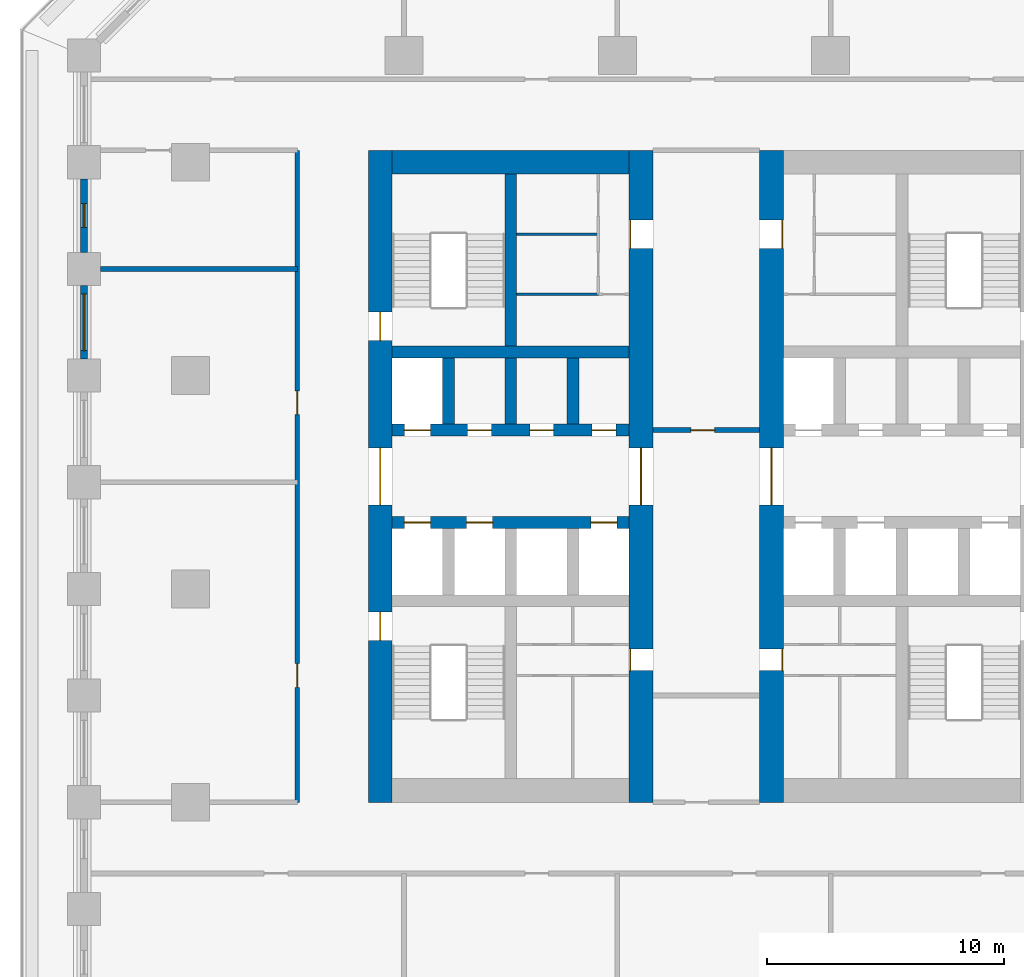
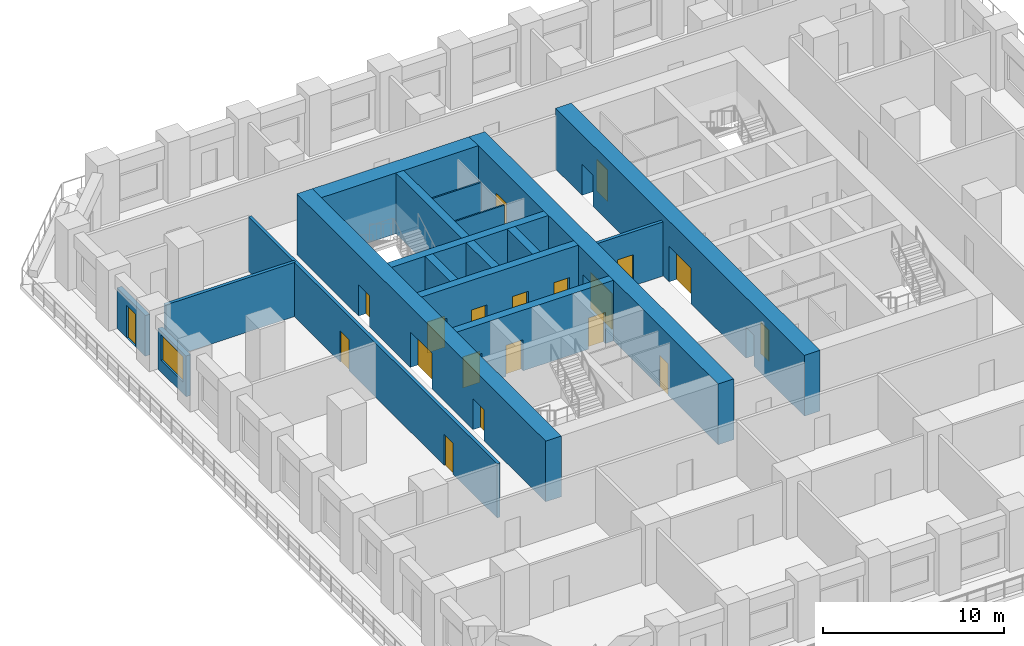
# One storey, part 5 of 11: 20 doors, 18 walls, 1 window, 21 openings.
"""IFC4 building model written with IfcOpenShell, lengths in metres."""

from ifc_helpers import new_model, si_unit, direction, frame, frame_2d, origin, place, context, subcontext, project, spatial, rectangle, extrude, material, layer, layer_set, type_object, element, fill, save


model = new_model("IFC4")

# Units and contexts
model_context = context("Model", 3, precision=1e-05, world=origin(), true_north=direction((0.0, 1.0)))
body_context = subcontext(model_context, "Body", "Model", "MODEL_VIEW")
ifc_project = project(units=[si_unit("LENGTHUNIT", "METRE"), si_unit("AREAUNIT", "SQUARE_METRE"), si_unit("VOLUMEUNIT", "CUBIC_METRE"), si_unit("PLANEANGLEUNIT", "RADIAN"), si_unit("MASSUNIT", "GRAM", prefix="KILO")], contexts=[model_context])

# Site, building, storey
site_placement = place(None, origin())
site = spatial("IfcSite", under=ifc_project, at=site_placement, CompositionType="ELEMENT")
building_placement = place(site_placement, origin())
building = spatial("IfcBuilding", under=site, at=building_placement, Name="Corbel Stack Research Tower", CompositionType="ELEMENT")
storey_placement = place(building_placement, frame((0.0, 0.0, 62.39990234375)))
storey = spatial("IfcBuildingStorey", under=building, at=storey_placement, Name="L14", CompositionType="ELEMENT", Elevation=62.39990234375)

# Wall, openings, doors
ifc_material_1 = material(Name="Concrete C70/85", Category="concrete")
ifc_layer_1 = layer(ifc_material_1, 1.0)
ifc_layer_set_1 = layer_set([ifc_layer_1], Name="Concrete C70/85")
wall_type_1 = type_object("IfcWallType", Name="CW-1000-70", PredefinedType="SHEAR", material=ifc_layer_set_1)
wall_1_placement = place(storey_placement, frame((-10.0, -9.0, 0.0), z_axis=(0.0, 0.0, 1.0), x_axis=(0.0, 1.0, 0.0)))
wall_1 = element("IfcWall", 1, at=wall_1_placement, inside=storey, type_object=wall_type_1, Name="West core wall, west face L14", PredefinedType="SHEAR", context=body_context, shape_type="SweptSolid", body=[
    extrude(rectangle(XDim=27.5, YDim=1.0, at=frame_2d((13.75, 0.0))), origin(), (0.0, 0.0, 1.0), 4.10009765625),
])
opening_1_placement = place(wall_1_placement, frame((12.550048828125, 0.0, 0.0)))
opening_1 = element("IfcOpeningElement", 2, at=opening_1_placement, cuts=wall_1, Name="Opening CD-W-W", PredefinedType="OPENING", context=body_context, shape_type="SweptSolid", body=[
    extrude(rectangle(XDim=2.39990234375, YDim=2.39990234375, at=frame_2d((1.199951171875, 1.199951171875))), frame((0.0, 0.510009765625, 0.0), z_axis=(0.0, -1.0, 0.0), x_axis=(1.0, 0.0, 0.0)), (0.0, 0.0, 1.0), 1.02001953125),
])
opening_2_placement = place(wall_1_placement, frame((6.824951171875, 0.0, 0.0)))
opening_2 = element("IfcOpeningElement", 3, at=opening_2_placement, cuts=wall_1, Name="Opening SD-ST-W1", PredefinedType="OPENING", context=body_context, shape_type="SweptSolid", body=[
    extrude(rectangle(XDim=1.199951171875, YDim=2.10009765625, at=frame_2d((0.60009765625, 1.050048828125))), frame((0.0, 0.510009765625, 0.0), z_axis=(0.0, -1.0, 0.0), x_axis=(1.0, 0.0, 0.0)), (0.0, 0.0, 1.0), 1.02001953125),
])
opening_3_placement = place(wall_1_placement, frame((19.47509765625, 0.0, 0.0)))
opening_3 = element("IfcOpeningElement", 4, at=opening_3_placement, cuts=wall_1, Name="Opening SD-ST-W2", PredefinedType="OPENING", context=body_context, shape_type="SweptSolid", body=[
    extrude(rectangle(XDim=1.199951171875, YDim=2.10009765625, at=frame_2d((0.60009765625, 1.050048828125))), frame((0.0, 0.510009765625, 0.0), z_axis=(0.0, -1.0, 0.0), x_axis=(1.0, 0.0, 0.0)), (0.0, 0.0, 1.0), 1.02001953125),
])
ifc_material_2 = material(Name="Painted steel fire door", Category="steel")
door_type_1 = type_object("IfcDoorType", Name="Lobby door pair 2400 x 2400 FD30S", OperationType="DOUBLE_DOOR_DOUBLE_SWING", PredefinedType="DOOR", material=ifc_material_2)
door_1_placement = place(opening_1_placement, origin())
door_1 = element("IfcDoor", 5, at=door_1_placement, inside=storey, type_object=door_type_1, Name="Lift lobby door W core W", OperationType="DOUBLE_DOOR_DOUBLE_SWING", OverallHeight=2.39990234375, OverallWidth=2.39990234375, PredefinedType="DOOR", context=body_context, shape_type="SweptSolid", body=[
    extrude(rectangle(XDim=2.39990234375, YDim=2.39990234375, at=frame_2d((1.199951171875, 1.199951171875))), frame((0.0, 0.02490234375, 0.0), z_axis=(0.0, -1.0, 0.0), x_axis=(1.0, 0.0, 0.0)), (0.0, 0.0, 1.0), 0.050048828125),
])
fill(opening_1, door_1)
ifc_material_3 = material(Name="Painted steel fire door", Category="steel")
door_type_2 = type_object("IfcDoorType", Name="Stair door 1200 x 2100 FD90 left hand", OperationType="SINGLE_SWING_LEFT", PredefinedType="DOOR", material=ifc_material_3)
door_2_placement = place(opening_2_placement, origin())
door_2 = element("IfcDoor", 6, at=door_2_placement, inside=storey, type_object=door_type_2, Name="Stair door ST-W1", OperationType="SINGLE_SWING_LEFT", OverallHeight=2.10009765625, OverallWidth=1.199951171875, PredefinedType="DOOR", context=body_context, shape_type="SweptSolid", body=[
    extrude(rectangle(XDim=1.199951171875, YDim=2.10009765625, at=frame_2d((0.60009765625, 1.050048828125))), frame((0.0, 0.02490234375, 0.0), z_axis=(0.0, -1.0, 0.0), x_axis=(1.0, 0.0, 0.0)), (0.0, 0.0, 1.0), 0.050048828125),
])
fill(opening_2, door_2)
door_3_placement = place(opening_3_placement, origin())
door_3 = element("IfcDoor", 7, at=door_3_placement, inside=storey, type_object=door_type_2, Name="Stair door ST-W2", OperationType="SINGLE_SWING_LEFT", OverallHeight=2.10009765625, OverallWidth=1.199951171875, PredefinedType="DOOR", context=body_context, shape_type="SweptSolid", body=[
    extrude(rectangle(XDim=1.199951171875, YDim=2.10009765625, at=frame_2d((0.60009765625, 1.050048828125))), frame((0.0, 0.02490234375, 0.0), z_axis=(0.0, -1.0, 0.0), x_axis=(1.0, 0.0, 0.0)), (0.0, 0.0, 1.0), 0.050048828125),
])
fill(opening_3, door_3)

wall_2_placement = place(storey_placement, frame((1.0, -9.0, 0.0), z_axis=(0.0, 0.0, 1.0), x_axis=(0.0, 1.0, 0.0)))
wall_2 = element("IfcWall", 8, at=wall_2_placement, inside=storey, type_object=wall_type_1, Name="West core wall, east face L14", PredefinedType="SHEAR", context=body_context, shape_type="SweptSolid", body=[
    extrude(rectangle(XDim=27.5, YDim=1.0, at=frame_2d((13.75, 0.0))), origin(), (0.0, 0.0, 1.0), 4.10009765625),
])
opening_4_placement = place(wall_2_placement, frame((12.550048828125, 0.0, 0.0)))
opening_4 = element("IfcOpeningElement", 9, at=opening_4_placement, cuts=wall_2, Name="Opening CD-W-E", PredefinedType="OPENING", context=body_context, shape_type="SweptSolid", body=[
    extrude(rectangle(XDim=2.39990234375, YDim=2.39990234375, at=frame_2d((1.199951171875, 1.199951171875))), frame((0.0, 0.510009765625, 0.0), z_axis=(0.0, -1.0, 0.0), x_axis=(1.0, 0.0, 0.0)), (0.0, 0.0, 1.0), 1.02001953125),
])
opening_5_placement = place(wall_2_placement, frame((5.550048828125, 0.0, 0.0)))
opening_5 = element("IfcOpeningElement", 10, at=opening_5_placement, cuts=wall_2, Name="Opening CR-W54-W1-905", PredefinedType="OPENING", context=body_context, shape_type="SweptSolid", body=[
    extrude(rectangle(XDim=0.905029296875, YDim=2.10009765625, at=frame_2d((0.45263671875, 1.050048828125))), frame((0.0, 0.510009765625, 0.0), z_axis=(0.0, -1.0, 0.0), x_axis=(1.0, 0.0, 0.0)), (0.0, 0.0, 1.0), 1.02001953125),
])
opening_6_placement = place(wall_2_placement, frame((23.362548828125, 0.0, 0.0)))
opening_6 = element("IfcOpeningElement", 11, at=opening_6_placement, cuts=wall_2, Name="Opening CR-W54-R2-1200", PredefinedType="OPENING", context=body_context, shape_type="SweptSolid", body=[
    extrude(rectangle(XDim=1.199951171875, YDim=2.10009765625, at=frame_2d((0.60009765625, 1.050048828125))), frame((0.0, 0.510009765625, 0.0), z_axis=(0.0, -1.0, 0.0), x_axis=(1.0, 0.0, 0.0)), (0.0, 0.0, 1.0), 1.02001953125),
])
door_4_placement = place(opening_4_placement, origin())
door_4 = element("IfcDoor", 12, at=door_4_placement, inside=storey, type_object=door_type_1, Name="Lift lobby door W core E", OperationType="DOUBLE_DOOR_DOUBLE_SWING", OverallHeight=2.39990234375, OverallWidth=2.39990234375, PredefinedType="DOOR", context=body_context, shape_type="SweptSolid", body=[
    extrude(rectangle(XDim=2.39990234375, YDim=2.39990234375, at=frame_2d((1.199951171875, 1.199951171875))), frame((0.0, 0.02490234375, 0.0), z_axis=(0.0, -1.0, 0.0), x_axis=(1.0, 0.0, 0.0)), (0.0, 0.0, 1.0), 0.050048828125),
])
fill(opening_4, door_4)
ifc_material_4 = material(Name="Painted steel door", Category="steel")
door_type_3 = type_object("IfcDoorType", Name="Service door 1200 x 2100 FD30 right hand", OperationType="SINGLE_SWING_RIGHT", PredefinedType="DOOR", material=ifc_material_4)
door_5_placement = place(opening_6_placement, origin())
door_5 = element("IfcDoor", 13, at=door_5_placement, inside=storey, type_object=door_type_3, Name="Service passage door W core", OperationType="SINGLE_SWING_RIGHT", OverallHeight=2.10009765625, OverallWidth=1.199951171875, PredefinedType="DOOR", context=body_context, shape_type="SweptSolid", body=[
    extrude(rectangle(XDim=1.199951171875, YDim=2.10009765625, at=frame_2d((0.60009765625, 1.050048828125))), frame((0.0, 0.47509765625, 0.0), z_axis=(0.0, -1.0, 0.0), x_axis=(1.0, 0.0, 0.0)), (0.0, 0.0, 1.0), 0.050048828125),
])
fill(opening_6, door_5)
ifc_material_5 = material(Name="Painted timber door", Category="wood")
door_type_4 = type_object("IfcDoorType", Name="WC door 905 x 2100 left hand", OperationType="SINGLE_SWING_LEFT", PredefinedType="DOOR", material=ifc_material_5)
door_6_placement = place(opening_5_placement, origin())
door_6 = element("IfcDoor", 14, at=door_6_placement, inside=storey, type_object=door_type_4, Name="WC lobby door W core", OperationType="SINGLE_SWING_LEFT", OverallHeight=2.10009765625, OverallWidth=0.905029296875, PredefinedType="DOOR", context=body_context, shape_type="SweptSolid", body=[
    extrude(rectangle(XDim=0.905029296875, YDim=2.10009765625, at=frame_2d((0.45263671875, 1.050048828125))), frame((0.0, 0.47509765625, 0.0), z_axis=(0.0, -1.0, 0.0), x_axis=(1.0, 0.0, 0.0)), (0.0, 0.0, 1.0), 0.050048828125),
])
fill(opening_5, door_6)

# Wall
wall_3_placement = place(storey_placement, frame((-9.5, 18.0, 0.0), z_axis=(0.0, 0.0, 1.0), x_axis=(1.0, 0.0, 0.0)))
element("IfcWall", 15, at=wall_3_placement, inside=storey, type_object=wall_type_1, Name="West core wall, north end L14", PredefinedType="SHEAR", context=body_context, shape_type="SweptSolid", body=[
    extrude(rectangle(XDim=10.0, YDim=1.0, at=frame_2d((5.0, 0.0))), origin(), (0.0, 0.0, 1.0), 4.10009765625),
])

# Wall, openings, doors
wall_4_placement = place(storey_placement, frame((6.5, -9.0, 0.0), z_axis=(0.0, 0.0, 1.0), x_axis=(0.0, 1.0, 0.0)))
wall_4 = element("IfcWall", 16, at=wall_4_placement, inside=storey, type_object=wall_type_1, Name="East core wall, west face L14", PredefinedType="SHEAR", context=body_context, shape_type="SweptSolid", body=[
    extrude(rectangle(XDim=27.5, YDim=1.0, at=frame_2d((13.75, 0.0))), origin(), (0.0, 0.0, 1.0), 4.10009765625),
])
opening_7_placement = place(wall_4_placement, frame((12.550048828125, 0.0, 0.0)))
opening_7 = element("IfcOpeningElement", 17, at=opening_7_placement, cuts=wall_4, Name="Opening CD-E-W", PredefinedType="OPENING", context=body_context, shape_type="SweptSolid", body=[
    extrude(rectangle(XDim=2.39990234375, YDim=2.39990234375, at=frame_2d((1.199951171875, 1.199951171875))), frame((0.0, 0.510009765625, 0.0), z_axis=(0.0, -1.0, 0.0), x_axis=(1.0, 0.0, 0.0)), (0.0, 0.0, 1.0), 1.02001953125),
])
opening_8_placement = place(wall_4_placement, frame((5.550048828125, 0.0, 0.0)))
opening_8 = element("IfcOpeningElement", 18, at=opening_8_placement, cuts=wall_4, Name="Opening CR-E54-W1-905", PredefinedType="OPENING", context=body_context, shape_type="SweptSolid", body=[
    extrude(rectangle(XDim=0.905029296875, YDim=2.10009765625, at=frame_2d((0.45263671875, 1.050048828125))), frame((0.0, 0.510009765625, 0.0), z_axis=(0.0, -1.0, 0.0), x_axis=(1.0, 0.0, 0.0)), (0.0, 0.0, 1.0), 1.02001953125),
])
opening_9_placement = place(wall_4_placement, frame((23.362548828125, 0.0, 0.0)))
opening_9 = element("IfcOpeningElement", 19, at=opening_9_placement, cuts=wall_4, Name="Opening CR-E54-R2-1200", PredefinedType="OPENING", context=body_context, shape_type="SweptSolid", body=[
    extrude(rectangle(XDim=1.199951171875, YDim=2.10009765625, at=frame_2d((0.60009765625, 1.050048828125))), frame((0.0, 0.510009765625, 0.0), z_axis=(0.0, -1.0, 0.0), x_axis=(1.0, 0.0, 0.0)), (0.0, 0.0, 1.0), 1.02001953125),
])
door_7_placement = place(opening_7_placement, origin())
door_7 = element("IfcDoor", 20, at=door_7_placement, inside=storey, type_object=door_type_1, Name="Lift lobby door E core W", OperationType="DOUBLE_DOOR_DOUBLE_SWING", OverallHeight=2.39990234375, OverallWidth=2.39990234375, PredefinedType="DOOR", context=body_context, shape_type="SweptSolid", body=[
    extrude(rectangle(XDim=2.39990234375, YDim=2.39990234375, at=frame_2d((1.199951171875, 1.199951171875))), frame((0.0, 0.02490234375, 0.0), z_axis=(0.0, -1.0, 0.0), x_axis=(1.0, 0.0, 0.0)), (0.0, 0.0, 1.0), 0.050048828125),
])
fill(opening_7, door_7)
ifc_material_6 = material(Name="Painted steel door", Category="steel")
door_type_5 = type_object("IfcDoorType", Name="Service door 1200 x 2100 FD30 left hand", OperationType="SINGLE_SWING_LEFT", PredefinedType="DOOR", material=ifc_material_6)
door_8_placement = place(opening_9_placement, origin())
door_8 = element("IfcDoor", 21, at=door_8_placement, inside=storey, type_object=door_type_5, Name="Service passage door E core", OperationType="SINGLE_SWING_LEFT", OverallHeight=2.10009765625, OverallWidth=1.199951171875, PredefinedType="DOOR", context=body_context, shape_type="SweptSolid", body=[
    extrude(rectangle(XDim=1.199951171875, YDim=2.10009765625, at=frame_2d((0.60009765625, 1.050048828125))), frame((0.0, -0.4248046875, 0.0), z_axis=(0.0, -1.0, 0.0), x_axis=(1.0, 0.0, 0.0)), (0.0, 0.0, 1.0), 0.050048828125),
])
fill(opening_9, door_8)
ifc_material_7 = material(Name="Painted timber door", Category="wood")
door_type_6 = type_object("IfcDoorType", Name="WC door 905 x 2100 right hand", OperationType="SINGLE_SWING_RIGHT", PredefinedType="DOOR", material=ifc_material_7)
door_9_placement = place(opening_8_placement, origin())
door_9 = element("IfcDoor", 22, at=door_9_placement, inside=storey, type_object=door_type_6, Name="WC lobby door E core", OperationType="SINGLE_SWING_RIGHT", OverallHeight=2.10009765625, OverallWidth=0.905029296875, PredefinedType="DOOR", context=body_context, shape_type="SweptSolid", body=[
    extrude(rectangle(XDim=0.905029296875, YDim=2.10009765625, at=frame_2d((0.45263671875, 1.050048828125))), frame((0.0, -0.4248046875, 0.0), z_axis=(0.0, -1.0, 0.0), x_axis=(1.0, 0.0, 0.0)), (0.0, 0.0, 1.0), 0.050048828125),
])
fill(opening_8, door_9)

ifc_material_8 = material(Name="Concrete C70/85", Category="concrete")
ifc_layer_2 = layer(ifc_material_8, 0.5)
ifc_layer_set_2 = layer_set([ifc_layer_2], Name="Concrete C70/85")
wall_type_2 = type_object("IfcWallType", Name="CW-500-70", PredefinedType="SHEAR", material=ifc_layer_set_2)
wall_5_placement = place(storey_placement, frame((-9.5, 2.800048828125, 0.0), z_axis=(0.0, 0.0, 1.0), x_axis=(1.0, 0.0, 0.0)))
wall_5 = element("IfcWall", 23, at=wall_5_placement, inside=storey, type_object=wall_type_2, Name="West core wall, lobby south L14", PredefinedType="SHEAR", context=body_context, shape_type="SweptSolid", body=[
    extrude(rectangle(XDim=10.0, YDim=0.5, at=frame_2d((5.0, 0.0))), origin(), (0.0, 0.0, 1.0), 4.10009765625),
])
opening_10_placement = place(wall_5_placement, frame((0.512451171875, 0.0, 0.0)))
opening_10 = element("IfcOpeningElement", 24, at=opening_10_placement, cuts=wall_5, Name="Opening LD-FS1", PredefinedType="OPENING", context=body_context, shape_type="SweptSolid", body=[
    extrude(rectangle(XDim=1.10009765625, YDim=2.10009765625, at=frame_2d((0.550048828125, 1.050048828125))), frame((0.0, 0.260009765625, 0.0), z_axis=(0.0, -1.0, 0.0), x_axis=(1.0, 0.0, 0.0)), (0.0, 0.0, 1.0), 0.52001953125),
])
opening_11_placement = place(wall_5_placement, frame((3.137451171875, 0.0, 0.0)))
opening_11 = element("IfcOpeningElement", 25, at=opening_11_placement, cuts=wall_5, Name="Opening LD-GL1", PredefinedType="OPENING", context=body_context, shape_type="SweptSolid", body=[
    extrude(rectangle(XDim=1.10009765625, YDim=2.10009765625, at=frame_2d((0.550048828125, 1.050048828125))), frame((0.0, 0.260009765625, 0.0), z_axis=(0.0, -1.0, 0.0), x_axis=(1.0, 0.0, 0.0)), (0.0, 0.0, 1.0), 0.52001953125),
])
opening_12_placement = place(wall_5_placement, frame((8.387451171875, 0.0, 0.0)))
opening_12 = element("IfcOpeningElement", 26, at=opening_12_placement, cuts=wall_5, Name="Opening LD-LR1", PredefinedType="OPENING", context=body_context, shape_type="SweptSolid", body=[
    extrude(rectangle(XDim=1.10009765625, YDim=2.10009765625, at=frame_2d((0.550048828125, 1.050048828125))), frame((0.0, 0.260009765625, 0.0), z_axis=(0.0, -1.0, 0.0), x_axis=(1.0, 0.0, 0.0)), (0.0, 0.0, 1.0), 0.52001953125),
])
ifc_material_9 = material(Name="Stainless steel landing door", Category="steel")
door_type_7 = type_object("IfcDoorType", Name="Lift landing door 1100 x 2100", OperationType="DOUBLE_DOOR_SLIDING", PredefinedType="DOOR", material=ifc_material_9)
door_10_placement = place(opening_10_placement, origin())
door_10 = element("IfcDoor", 27, at=door_10_placement, inside=storey, type_object=door_type_7, Name="Landing door FS1", OperationType="DOUBLE_DOOR_SLIDING", OverallHeight=2.10009765625, OverallWidth=1.10009765625, PredefinedType="DOOR", context=body_context, shape_type="SweptSolid", body=[
    extrude(rectangle(XDim=1.10009765625, YDim=2.10009765625, at=frame_2d((0.550048828125, 1.050048828125))), frame((0.0, 0.02490234375, 0.0), z_axis=(0.0, -1.0, 0.0), x_axis=(1.0, 0.0, 0.0)), (0.0, 0.0, 1.0), 0.050048828125),
])
fill(opening_10, door_10)
door_11_placement = place(opening_11_placement, origin())
door_11 = element("IfcDoor", 28, at=door_11_placement, inside=storey, type_object=door_type_7, Name="Landing door GL1", OperationType="DOUBLE_DOOR_SLIDING", OverallHeight=2.10009765625, OverallWidth=1.10009765625, PredefinedType="DOOR", context=body_context, shape_type="SweptSolid", body=[
    extrude(rectangle(XDim=1.10009765625, YDim=2.10009765625, at=frame_2d((0.550048828125, 1.050048828125))), frame((0.0, 0.02490234375, 0.0), z_axis=(0.0, -1.0, 0.0), x_axis=(1.0, 0.0, 0.0)), (0.0, 0.0, 1.0), 0.050048828125),
])
fill(opening_11, door_11)
door_12_placement = place(opening_12_placement, origin())
door_12 = element("IfcDoor", 29, at=door_12_placement, inside=storey, type_object=door_type_7, Name="Landing door LR1", OperationType="DOUBLE_DOOR_SLIDING", OverallHeight=2.10009765625, OverallWidth=1.10009765625, PredefinedType="DOOR", context=body_context, shape_type="SweptSolid", body=[
    extrude(rectangle(XDim=1.10009765625, YDim=2.10009765625, at=frame_2d((0.550048828125, 1.050048828125))), frame((0.0, 0.02490234375, 0.0), z_axis=(0.0, -1.0, 0.0), x_axis=(1.0, 0.0, 0.0)), (0.0, 0.0, 1.0), 0.050048828125),
])
fill(opening_12, door_12)

wall_6_placement = place(storey_placement, frame((-9.5, 6.699951171875, 0.0), z_axis=(0.0, 0.0, 1.0), x_axis=(1.0, 0.0, 0.0)))
wall_6 = element("IfcWall", 30, at=wall_6_placement, inside=storey, type_object=wall_type_2, Name="West core wall, lobby north L14", PredefinedType="SHEAR", context=body_context, shape_type="SweptSolid", body=[
    extrude(rectangle(XDim=10.0, YDim=0.5, at=frame_2d((5.0, 0.0))), origin(), (0.0, 0.0, 1.0), 4.10009765625),
])
opening_13_placement = place(wall_6_placement, frame((0.512451171875, 0.0, 0.0)))
opening_13 = element("IfcOpeningElement", 31, at=opening_13_placement, cuts=wall_6, Name="Opening LD-LR2", PredefinedType="OPENING", context=body_context, shape_type="SweptSolid", body=[
    extrude(rectangle(XDim=1.10009765625, YDim=2.10009765625, at=frame_2d((0.550048828125, 1.050048828125))), frame((0.0, 0.260009765625, 0.0), z_axis=(0.0, -1.0, 0.0), x_axis=(1.0, 0.0, 0.0)), (0.0, 0.0, 1.0), 0.52001953125),
])
opening_14_placement = place(wall_6_placement, frame((3.1875, 0.0, 0.0)))
opening_14 = element("IfcOpeningElement", 32, at=opening_14_placement, cuts=wall_6, Name="Opening CR-W54-N2", PredefinedType="OPENING", context=body_context, shape_type="SweptSolid", body=[
    extrude(rectangle(XDim=1.0, YDim=2.10009765625, at=frame_2d((0.5, 1.050048828125))), frame((0.0, 0.260009765625, 0.0), z_axis=(0.0, -1.0, 0.0), x_axis=(1.0, 0.0, 0.0)), (0.0, 0.0, 1.0), 0.52001953125),
])
opening_15_placement = place(wall_6_placement, frame((5.8125, 0.0, 0.0)))
opening_15 = element("IfcOpeningElement", 33, at=opening_15_placement, cuts=wall_6, Name="Opening CR-W54-N3", PredefinedType="OPENING", context=body_context, shape_type="SweptSolid", body=[
    extrude(rectangle(XDim=1.0, YDim=2.10009765625, at=frame_2d((0.5, 1.050048828125))), frame((0.0, 0.260009765625, 0.0), z_axis=(0.0, -1.0, 0.0), x_axis=(1.0, 0.0, 0.0)), (0.0, 0.0, 1.0), 0.52001953125),
])
opening_16_placement = place(wall_6_placement, frame((8.4375, 0.0, 0.0)))
opening_16 = element("IfcOpeningElement", 34, at=opening_16_placement, cuts=wall_6, Name="Opening CR-W54-N4", PredefinedType="OPENING", context=body_context, shape_type="SweptSolid", body=[
    extrude(rectangle(XDim=1.0, YDim=2.10009765625, at=frame_2d((0.5, 1.050048828125))), frame((0.0, 0.260009765625, 0.0), z_axis=(0.0, -1.0, 0.0), x_axis=(1.0, 0.0, 0.0)), (0.0, 0.0, 1.0), 0.52001953125),
])
door_13_placement = place(opening_13_placement, origin())
door_13 = element("IfcDoor", 35, at=door_13_placement, inside=storey, type_object=door_type_7, Name="Landing door LR2", OperationType="DOUBLE_DOOR_SLIDING", OverallHeight=2.10009765625, OverallWidth=1.10009765625, PredefinedType="DOOR", context=body_context, shape_type="SweptSolid", body=[
    extrude(rectangle(XDim=1.10009765625, YDim=2.10009765625, at=frame_2d((0.550048828125, 1.050048828125))), frame((0.0, 0.02490234375, 0.0), z_axis=(0.0, -1.0, 0.0), x_axis=(1.0, 0.0, 0.0)), (0.0, 0.0, 1.0), 0.050048828125),
])
fill(opening_13, door_13)
ifc_material_10 = material(Name="Painted steel door", Category="steel")
door_type_8 = type_object("IfcDoorType", Name="Service door 1000 x 2100 FD60 left hand", OperationType="SINGLE_SWING_LEFT", PredefinedType="DOOR", material=ifc_material_10)
door_14_placement = place(opening_15_placement, origin())
door_14 = element("IfcDoor", 36, at=door_14_placement, inside=storey, type_object=door_type_8, Name="Vending bay door W core", OperationType="SINGLE_SWING_LEFT", OverallHeight=2.10009765625, OverallWidth=1.0, PredefinedType="DOOR", context=body_context, shape_type="SweptSolid", body=[
    extrude(rectangle(XDim=1.0, YDim=2.10009765625, at=frame_2d((0.5, 1.050048828125))), frame((0.0, 0.02490234375, 0.0), z_axis=(0.0, -1.0, 0.0), x_axis=(1.0, 0.0, 0.0)), (0.0, 0.0, 1.0), 0.050048828125),
])
fill(opening_15, door_14)
ifc_material_11 = material(Name="Painted steel door", Category="steel")
door_type_9 = type_object("IfcDoorType", Name="Service door 1000 x 2100 FD60 right hand", OperationType="SINGLE_SWING_RIGHT", PredefinedType="DOOR", material=ifc_material_11)
door_15_placement = place(opening_14_placement, origin())
door_15 = element("IfcDoor", 37, at=door_15_placement, inside=storey, type_object=door_type_9, Name="Cleaner's store door W core", OperationType="SINGLE_SWING_RIGHT", OverallHeight=2.10009765625, OverallWidth=1.0, PredefinedType="DOOR", context=body_context, shape_type="SweptSolid", body=[
    extrude(rectangle(XDim=1.0, YDim=2.10009765625, at=frame_2d((0.5, 1.050048828125))), frame((0.0, 0.02490234375, 0.0), z_axis=(0.0, -1.0, 0.0), x_axis=(1.0, 0.0, 0.0)), (0.0, 0.0, 1.0), 0.050048828125),
])
fill(opening_14, door_15)
door_16_placement = place(opening_16_placement, origin())
door_16 = element("IfcDoor", 38, at=door_16_placement, inside=storey, type_object=door_type_9, Name="Mechanical room door W core", OperationType="SINGLE_SWING_RIGHT", OverallHeight=2.10009765625, OverallWidth=1.0, PredefinedType="DOOR", context=body_context, shape_type="SweptSolid", body=[
    extrude(rectangle(XDim=1.0, YDim=2.10009765625, at=frame_2d((0.5, 1.050048828125))), frame((0.0, 0.02490234375, 0.0), z_axis=(0.0, -1.0, 0.0), x_axis=(1.0, 0.0, 0.0)), (0.0, 0.0, 1.0), 0.050048828125),
])
fill(opening_16, door_16)

# Walls
wall_7_placement = place(storey_placement, frame((-9.5, 10.0, 0.0), z_axis=(0.0, 0.0, 1.0), x_axis=(1.0, 0.0, 0.0)))
element("IfcWall", 39, at=wall_7_placement, inside=storey, type_object=wall_type_2, Name="West core wall, north row back L14", PredefinedType="SHEAR", context=body_context, shape_type="SweptSolid", body=[
    extrude(rectangle(XDim=10.0, YDim=0.5, at=frame_2d((5.0, 0.0))), origin(), (0.0, 0.0, 1.0), 4.10009765625),
])
for number, where, z_axis, x_axis, name in (
    (40, (-7.125, 6.949951171875, 0.0), (0.0, 0.0, 1.0), (0.0, 1.0, 0.0), "West core wall, north shaft 1 L14"),
    (41, (-4.5, 6.949951171875, 0.0), (0.0, 0.0, 1.0), (0.0, 1.0, 0.0), "West core wall, north shaft 2 L14"),
    (42, (-1.875, 6.949951171875, 0.0), (0.0, 0.0, 1.0), (0.0, 1.0, 0.0), "West core wall, north shaft 3 L14"),
):
    element("IfcWall", number, at=place(storey_placement, frame(where, z_axis=z_axis, x_axis=x_axis)), inside=storey, type_object=wall_type_2, Name=name, PredefinedType="SHEAR", context=body_context, shape_type="SweptSolid", body=[
        extrude(rectangle(XDim=2.800048828125, YDim=0.5, at=frame_2d((1.39990234375, 0.0))), origin(), (0.0, 0.0, 1.0), 4.10009765625),
    ])
wall_8_placement = place(storey_placement, frame((-4.5, 10.25, 0.0), z_axis=(0.0, 0.0, 1.0), x_axis=(0.0, 1.0, 0.0)))
element("IfcWall", 43, at=wall_8_placement, inside=storey, type_object=wall_type_2, Name="West core wall, north stair and riser L14", PredefinedType="SHEAR", context=body_context, shape_type="SweptSolid", body=[
    extrude(rectangle(XDim=7.25, YDim=0.5, at=frame_2d((3.625, 0.0))), origin(), (0.0, 0.0, 1.0), 4.10009765625),
])
ifc_material_12 = material(Name="Gypsum board")
ifc_layer_3 = layer(ifc_material_12, 0.10009765625)
ifc_layer_set_3 = layer_set([ifc_layer_3], Name="Gypsum board")
wall_type_3 = type_object("IfcWallType", Name="Core partition 100", PredefinedType="PARTITIONING", material=ifc_layer_set_3)
for number, where, z_axis, x_axis, name in (
    (44, (-4.25, 12.425048828125, 0.0), (0.0, 0.0, 1.0), (1.0, 0.0, 0.0), "Core partition W"),
    (45, (-4.25, 14.96240234375, 0.0), (0.0, 0.0, 1.0), (1.0, 0.0, 0.0), "Core partition W"),
):
    element("IfcWall", number, at=place(storey_placement, frame(where, z_axis=z_axis, x_axis=x_axis)), inside=storey, type_object=wall_type_3, Name=name, PredefinedType="PARTITIONING", context=body_context, shape_type="SweptSolid", body=[
        extrude(rectangle(XDim=3.449951171875, YDim=0.10009765625, at=frame_2d((1.72509765625, 0.0))), origin(), (0.0, 0.0, 1.0), 3.650146484375),
    ])

# Wall, openings, doors
ifc_material_13 = material(Name="Fire-rated gypsum board partition on steel studs", Category="steel")
ifc_layer_4 = layer(ifc_material_13, 0.199951171875)
ifc_layer_set_4 = layer_set([ifc_layer_4], Name="Fire-rated gypsum board partition on steel studs")
wall_type_4 = type_object("IfcWallType", Name="Fire-rated partition 200 EI 60", PredefinedType="PARTITIONING", material=ifc_layer_set_4)
wall_9_placement = place(storey_placement, frame((-13.5, -9.0, 0.0), z_axis=(0.0, 0.0, 1.0), x_axis=(0.0, 1.0, 0.0)))
wall_9 = element("IfcWall", 46, at=wall_9_placement, inside=storey, type_object=wall_type_4, Name="Partition L14-001", PredefinedType="PARTITIONING", context=body_context, shape_type="SweptSolid", body=[
    extrude(rectangle(XDim=27.5, YDim=0.199951171875, at=frame_2d((13.75, 0.0))), origin(), (0.0, 0.0, 1.0), 3.650146484375),
])
opening_17_placement = place(wall_9_placement, frame((4.85009765625, 0.0, 0.0)))
opening_17 = element("IfcOpeningElement", 47, at=opening_17_placement, cuts=wall_9, Name="Opening B2V2-006", PredefinedType="OPENING", context=body_context, shape_type="SweptSolid", body=[
    extrude(rectangle(XDim=1.0, YDim=2.10009765625, at=frame_2d((0.5, 1.050048828125))), frame((0.0, 0.10986328125, 0.0), z_axis=(0.0, -1.0, 0.0), x_axis=(1.0, 0.0, 0.0)), (0.0, 0.0, 1.0), 0.219970703125),
])
opening_18_placement = place(wall_9_placement, frame((16.35009765625, 0.0, 0.0)))
opening_18 = element("IfcOpeningElement", 48, at=opening_18_placement, cuts=wall_9, Name="Opening B2V2-007", PredefinedType="OPENING", context=body_context, shape_type="SweptSolid", body=[
    extrude(rectangle(XDim=1.0, YDim=2.10009765625, at=frame_2d((0.5, 1.050048828125))), frame((0.0, 0.10986328125, 0.0), z_axis=(0.0, -1.0, 0.0), x_axis=(1.0, 0.0, 0.0)), (0.0, 0.0, 1.0), 0.219970703125),
])
ifc_material_14 = material(Name="Painted steel fire door", Category="steel")
door_type_10 = type_object("IfcDoorType", Name="Fire door FD30S 1000 x 2100", OperationType="NOTDEFINED", PredefinedType="DOOR", material=ifc_material_14)
door_17_placement = place(opening_17_placement, origin())
door_17 = element("IfcDoor", 49, at=door_17_placement, inside=storey, type_object=door_type_10, Name="Door B2V2-006", OperationType="SINGLE_SWING_LEFT", OverallHeight=2.10009765625, OverallWidth=1.0, PredefinedType="DOOR", context=body_context, shape_type="SweptSolid", body=[
    extrude(rectangle(XDim=1.0, YDim=2.10009765625, at=frame_2d((0.5, 1.050048828125))), frame((0.0, 0.02490234375, 0.0), z_axis=(0.0, -1.0, 0.0), x_axis=(1.0, 0.0, 0.0)), (0.0, 0.0, 1.0), 0.050048828125),
])
fill(opening_17, door_17)
door_18_placement = place(opening_18_placement, origin())
door_18 = element("IfcDoor", 50, at=door_18_placement, inside=storey, type_object=door_type_10, Name="Door B2V2-007", OperationType="SINGLE_SWING_RIGHT", OverallHeight=2.10009765625, OverallWidth=1.0, PredefinedType="DOOR", context=body_context, shape_type="SweptSolid", body=[
    extrude(rectangle(XDim=1.0, YDim=2.10009765625, at=frame_2d((0.5, 1.050048828125))), frame((0.0, 0.02490234375, 0.0), z_axis=(0.0, -1.0, 0.0), x_axis=(1.0, 0.0, 0.0)), (0.0, 0.0, 1.0), 0.050048828125),
])
fill(opening_18, door_18)

# Wall, opening, door
wall_10_placement = place(storey_placement, frame((1.5, 6.699951171875, 0.0), z_axis=(0.0, 0.0, 1.0), x_axis=(1.0, 0.0, 0.0)))
wall_10 = element("IfcWall", 51, at=wall_10_placement, inside=storey, type_object=wall_type_4, Name="Partition L14-036", PredefinedType="PARTITIONING", context=body_context, shape_type="SweptSolid", body=[
    extrude(rectangle(XDim=4.5, YDim=0.199951171875, at=frame_2d((2.25, 0.0))), origin(), (0.0, 0.0, 1.0), 3.650146484375),
])
opening_19_placement = place(wall_10_placement, frame((1.60009765625, 0.0, 0.0)))
opening_19 = element("IfcOpeningElement", 52, at=opening_19_placement, cuts=wall_10, Name="Opening B2V2-014", PredefinedType="OPENING", context=body_context, shape_type="SweptSolid", body=[
    extrude(rectangle(XDim=1.0, YDim=2.10009765625, at=frame_2d((0.5, 1.050048828125))), frame((0.0, 0.10986328125, 0.0), z_axis=(0.0, -1.0, 0.0), x_axis=(1.0, 0.0, 0.0)), (0.0, 0.0, 1.0), 0.219970703125),
])
door_19_placement = place(opening_19_placement, origin())
door_19 = element("IfcDoor", 53, at=door_19_placement, inside=storey, type_object=door_type_10, Name="Door B2V2-014", OperationType="SINGLE_SWING_LEFT", OverallHeight=2.10009765625, OverallWidth=1.0, PredefinedType="DOOR", context=body_context, shape_type="SweptSolid", body=[
    extrude(rectangle(XDim=1.0, YDim=2.10009765625, at=frame_2d((0.5, 1.050048828125))), frame((0.0, 0.02490234375, 0.0), z_axis=(0.0, -1.0, 0.0), x_axis=(1.0, 0.0, 0.0)), (0.0, 0.0, 1.0), 0.050048828125),
])
fill(opening_19, door_19)

# Wall
wall_11_placement = place(storey_placement, frame((-21.800048828125, 13.5, 0.0), z_axis=(0.0, 0.0, 1.0), x_axis=(1.0, 0.0, 0.0)))
element("IfcWall", 54, at=wall_11_placement, inside=storey, type_object=wall_type_4, Name="Partition L14-037", PredefinedType="PARTITIONING", context=body_context, shape_type="SweptSolid", body=[
    extrude(rectangle(XDim=8.300048828125, YDim=0.199951171875, at=frame_2d((4.14990234375, 0.0))), origin(), (0.0, 0.0, 1.0), 3.650146484375),
])

# Wall, opening, door
ifc_material_15 = material(Name="Concrete C45/55", Category="concrete")
ifc_layer_5 = layer(ifc_material_15, 0.300048828125)
ifc_layer_set_5 = layer_set([ifc_layer_5], Name="Concrete C45/55")
wall_type_5 = type_object("IfcWallType", Name="Terracotta-faced concrete wall 300", PredefinedType="SOLIDWALL", material=ifc_layer_set_5)
wall_12_placement = place(storey_placement, frame((-22.5, 14.199951171875, 0.0), z_axis=(0.0, 0.0, 1.0), x_axis=(0.0, 1.0, 0.0)))
wall_12 = element("IfcWall", 55, at=wall_12_placement, inside=storey, type_object=wall_type_5, Name="Facade wall L14 W02", PredefinedType="SOLIDWALL", context=body_context, shape_type="SweptSolid", body=[
    extrude(rectangle(XDim=3.10009765625, YDim=0.300048828125, at=frame_2d((1.550048828125, 0.0))), origin(), (0.0, 0.0, 1.0), 2.75),
])
opening_20_placement = place(wall_12_placement, frame((1.050048828125, 0.0, 0.0)))
opening_20 = element("IfcOpeningElement", 56, at=opening_20_placement, cuts=wall_12, Name="Opening L14-B10", PredefinedType="OPENING", context=body_context, shape_type="SweptSolid", body=[
    extrude(rectangle(XDim=1.0, YDim=2.199951171875, at=frame_2d((0.5, 1.10009765625))), frame((0.0, 0.159912109375, 0.0), z_axis=(0.0, -1.0, 0.0), x_axis=(1.0, 0.0, 0.0)), (0.0, 0.0, 1.0), 0.320068359375),
])
ifc_material_16 = material(Name="Aluminium frame, clear double glazing", Category="aluminium")
door_type_11 = type_object("IfcDoorType", Name="Balcony door BD1 1000 x 2200", OperationType="NOTDEFINED", PredefinedType="DOOR", material=ifc_material_16)
door_20_placement = place(opening_20_placement, origin())
door_20 = element("IfcDoor", 57, at=door_20_placement, inside=storey, type_object=door_type_11, Name="Balcony door L14-B10", OperationType="SINGLE_SWING_RIGHT", OverallHeight=2.199951171875, OverallWidth=1.0, PredefinedType="DOOR", context=body_context, shape_type="SweptSolid", body=[
    extrude(rectangle(XDim=1.0, YDim=2.199951171875, at=frame_2d((0.5, 1.10009765625))), frame((0.0, 0.02490234375, 0.0), z_axis=(0.0, -1.0, 0.0), x_axis=(1.0, 0.0, 0.0)), (0.0, 0.0, 1.0), 0.050048828125),
])
fill(opening_20, door_20)

# Wall, opening, window
wall_13_placement = place(storey_placement, frame((-22.5, 9.699951171875, 0.0), z_axis=(0.0, 0.0, 1.0), x_axis=(0.0, 1.0, 0.0)))
wall_13 = element("IfcWall", 58, at=wall_13_placement, inside=storey, type_object=wall_type_5, Name="Facade wall L14 W03", PredefinedType="SOLIDWALL", context=body_context, shape_type="SweptSolid", body=[
    extrude(rectangle(XDim=3.10009765625, YDim=0.300048828125, at=frame_2d((1.550048828125, 0.0))), origin(), (0.0, 0.0, 1.0), 2.75),
])
opening_21_placement = place(wall_13_placement, frame((0.35009765625, 0.0, 0.800048828125)))
opening_21 = element("IfcOpeningElement", 59, at=opening_21_placement, cuts=wall_13, Name="Opening W1", PredefinedType="OPENING", context=body_context, shape_type="SweptSolid", body=[
    extrude(rectangle(XDim=2.39990234375, YDim=1.699951171875, at=frame_2d((1.199951171875, 0.85009765625))), frame((0.0, 0.159912109375, 0.0), z_axis=(0.0, -1.0, 0.0), x_axis=(1.0, 0.0, 0.0)), (0.0, 0.0, 1.0), 0.320068359375),
])
ifc_material_17 = material(Name="Aluminium frame, clear double glazing", Category="aluminium")
window_type = type_object("IfcWindowType", Name="Window W1 2400 x 1700", PartitioningType="SINGLE_PANEL", PredefinedType="WINDOW", material=ifc_material_17)
window_placement = place(opening_21_placement, origin())
window = element("IfcWindow", 60, at=window_placement, inside=storey, type_object=window_type, Name="Window W1 L14 W03", OverallHeight=1.699951171875, OverallWidth=2.39990234375, PartitioningType="SINGLE_PANEL", PredefinedType="WINDOW", context=body_context, shape_type="SweptSolid", body=[
    extrude(rectangle(XDim=2.39990234375, YDim=1.699951171875, at=frame_2d((1.199951171875, 0.85009765625))), frame((0.0, 0.030029296875, 0.0), z_axis=(0.0, -1.0, 0.0), x_axis=(1.0, 0.0, 0.0)), (0.0, 0.0, 1.0), 0.06005859375),
])
fill(opening_21, window)

save(model, "model.ifc")
